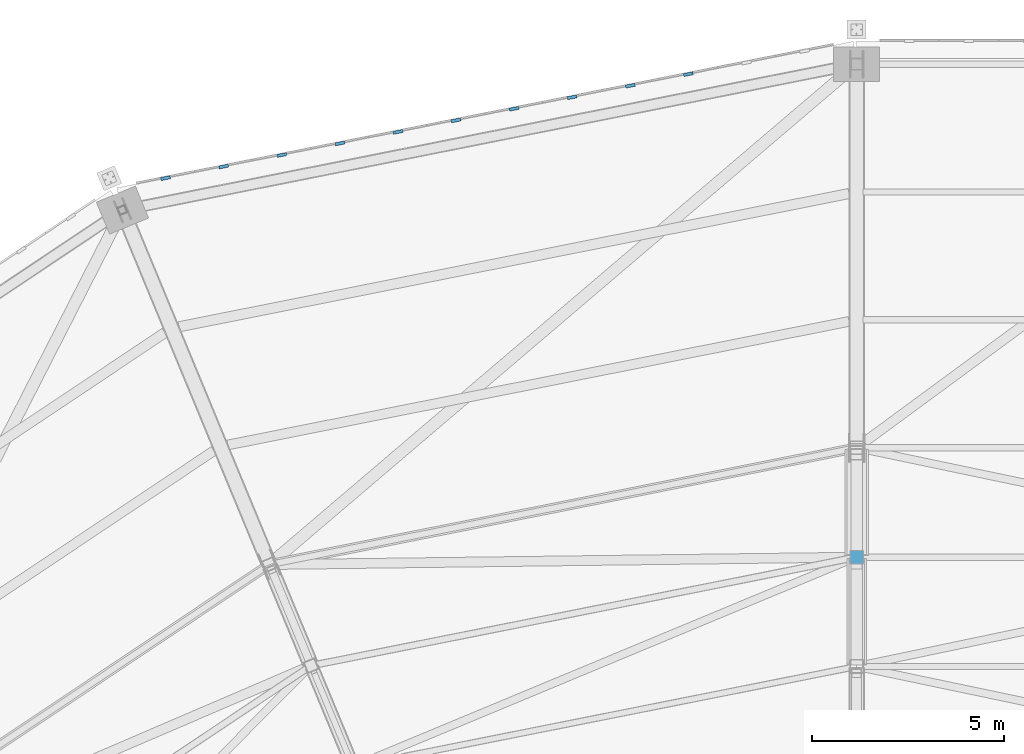
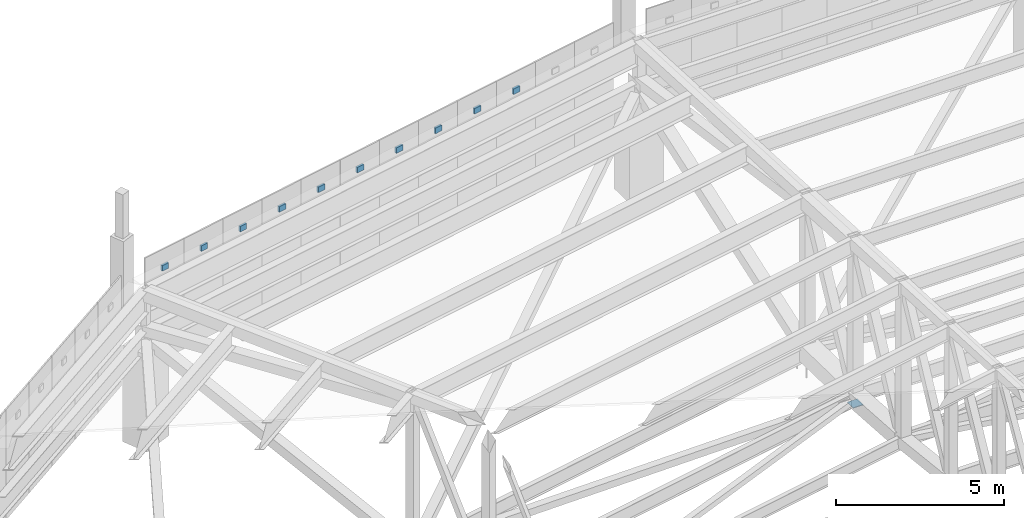
# One storey, part 228 of 278: 11 discrete accessories.
"""IFC4 building model written with IfcOpenShell, lengths in metres."""

from ifc_helpers import new_model, si_unit, direction, frame, origin, origin_2d, place, context, subcontext, project, spatial, rectangle, extrude, material, layer, layer_set, type_object, element, save


model = new_model("IFC4")

# Units and contexts
model_context = context("Model", 3, precision=1e-05, world=origin(), true_north=direction((0.0, 1.0)))
body_context = subcontext(model_context, "Body", "Model", "MODEL_VIEW")
ifc_project = project(units=[si_unit("LENGTHUNIT", "METRE"), si_unit("AREAUNIT", "SQUARE_METRE"), si_unit("VOLUMEUNIT", "CUBIC_METRE"), si_unit("PLANEANGLEUNIT", "RADIAN"), si_unit("MASSUNIT", "GRAM", prefix="KILO")], contexts=[model_context])

# Site, building, storey
site_placement = place(None, origin())
site = spatial("IfcSite", under=ifc_project, at=site_placement, CompositionType="ELEMENT")
building_placement = place(site_placement, origin())
building = spatial("IfcBuilding", under=site, at=building_placement, Name="Ogive Plaza Stadium", CompositionType="ELEMENT")
storey_placement = place(building_placement, frame((0.0, 0.0, 29.0)))
storey = spatial("IfcBuildingStorey", under=building, at=storey_placement, Name="Roof", CompositionType="ELEMENT", Elevation=29.0)

# Discrete accessories
ifc_material_1 = material(Name="Steel ASTM A992 Grade 50", Category="steel")
ifc_layer_1 = layer(ifc_material_1, 0.02001953125)
ifc_layer_set_1 = layer_set([ifc_layer_1], Name="Steel ASTM A992 Grade 50")
discrete_accessory_type_1 = type_object("IfcDiscreteAccessoryType", Name="Roof truss post cap plate 20", PredefinedType="ANCHORPLATE", material=ifc_layer_set_1)
discrete_accessory_placement = place(storey_placement, frame((-34.0, 89.64990234375, 0.04541015625), z_axis=(0.0, 0.0, 1.0), x_axis=(0.0, 1.0, 0.0)))
element("IfcDiscreteAccessory", 1, at=discrete_accessory_placement, inside=storey, type_object=discrete_accessory_type_1, Name="ROOF TRUSS POST CAP PLATE 32 10", PredefinedType="ANCHORPLATE", context=body_context, shape_type="SweptSolid", body=[
    extrude(rectangle(XDim=0.355712890625, YDim=0.355712890625, at=origin_2d()), origin(), (0.0, 0.0, 1.0), 0.02001953125),
])
ifc_material_2 = material(Name="Steel ASTM A572 Grade 50", Category="steel")
ifc_layer_2 = layer(ifc_material_2, 0.080078125)
ifc_layer_set_2 = layer_set([ifc_layer_2], Name="Steel ASTM A572 Grade 50")
discrete_accessory_type_2 = type_object("IfcDiscreteAccessoryType", Name="Tracery screen bracket 250x200", PredefinedType="BRACKET", material=ifc_layer_set_2)
for number, where, z_axis, x_axis, name in (
    (2, (-52.010986328125, 99.528564453125, 5.25), (0.0, 0.0, 1.0), (0.980785280403, 0.195090322016, 0.0), "TRACERY SCREEN BRACKET B31 1"),
    (3, (-50.4970703125, 99.82958984375, 5.25), (0.0, 0.0, 1.0), (0.980785280403, 0.195090322016, 0.0), "TRACERY SCREEN BRACKET B31 2"),
    (4, (-48.983154296875, 100.130859375, 5.25), (0.0, 0.0, 1.0), (0.980785280403, 0.195090322016, 0.0), "TRACERY SCREEN BRACKET B31 3"),
    (5, (-47.468994140625, 100.43212890625, 5.25), (0.0, 0.0, 1.0), (0.980785280403, 0.195090322016, 0.0), "TRACERY SCREEN BRACKET B31 4"),
    (6, (-45.955078125, 100.733154296875, 5.25), (0.0, 0.0, 1.0), (0.980785280403, 0.195090322016, 0.0), "TRACERY SCREEN BRACKET B31 5"),
    (7, (-44.44091796875, 101.034423828125, 5.25), (0.0, 0.0, 1.0), (0.980785280403, 0.195090322016, 0.0), "TRACERY SCREEN BRACKET B31 6"),
    (8, (-42.927001953125, 101.33544921875, 5.25), (0.0, 0.0, 1.0), (0.980785280403, 0.195090322016, 0.0), "TRACERY SCREEN BRACKET B31 7"),
    (9, (-41.4130859375, 101.63671875, 5.25), (0.0, 0.0, 1.0), (0.980785280403, 0.195090322016, 0.0), "TRACERY SCREEN BRACKET B31 8"),
    (10, (-39.89892578125, 101.937744140625, 5.25), (0.0, 0.0, 1.0), (0.980785280403, 0.195090322016, 0.0), "TRACERY SCREEN BRACKET B31 9"),
    (11, (-38.385009765625, 102.239013671875, 5.25), (0.0, 0.0, 1.0), (0.980785280403, 0.195090322016, 0.0), "TRACERY SCREEN BRACKET B31 10"),
):
    element("IfcDiscreteAccessory", number, at=place(storey_placement, frame(where, z_axis=z_axis, x_axis=x_axis)), inside=storey, type_object=discrete_accessory_type_2, Name=name, PredefinedType="BRACKET", context=body_context, shape_type="SweptSolid", body=[
        extrude(rectangle(XDim=0.25, YDim=0.080078125, at=origin_2d()), origin(), (0.0, 0.0, 1.0), 0.199951171875),
    ])

save(model, "model.ifc")
